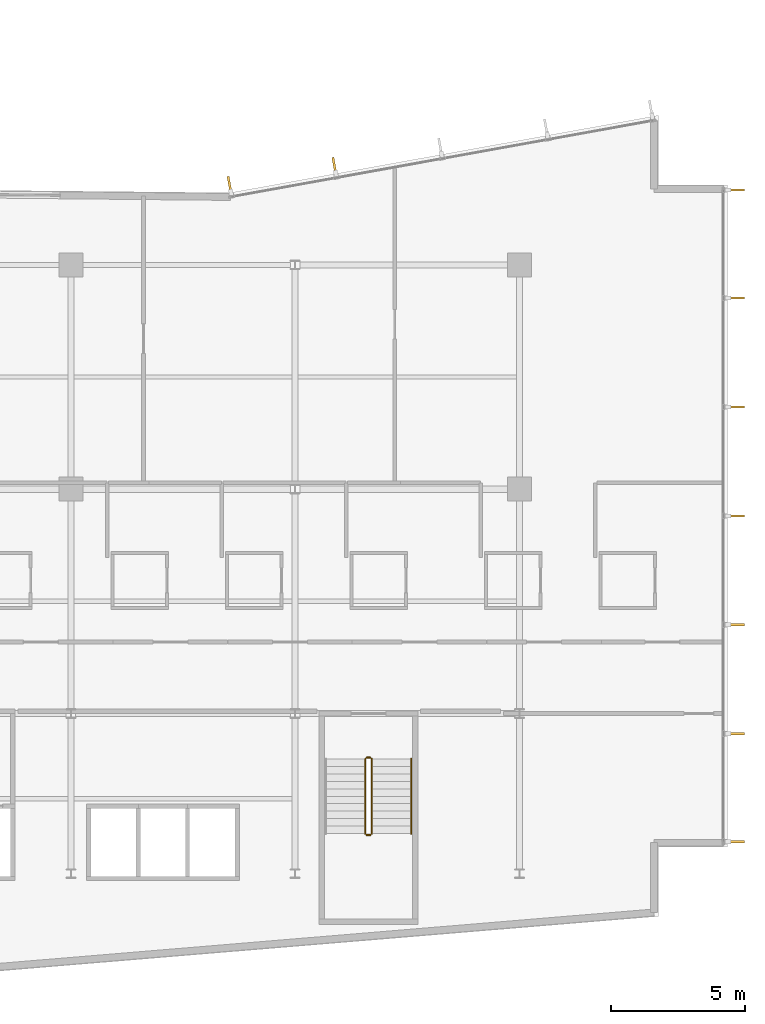
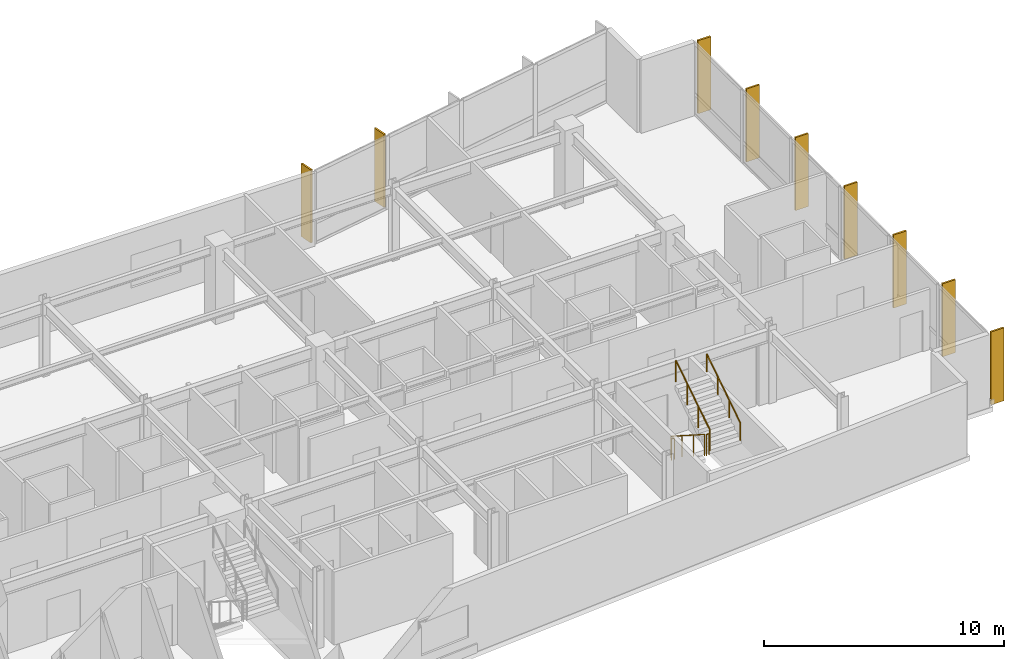
# One storey, part 19 of 21: 9 shading devices, 5 railings.
"""IFC4 building model written with IfcOpenShell, lengths in metres."""

from ifc_helpers import new_model, si_unit, direction, frame, origin, origin_2d, place, context, subcontext, project, spatial, rectangle, circle, extrude, material, layer, layer_set, type_object, element, save


model = new_model("IFC4")

# Units and contexts
model_context = context("Model", 3, precision=1e-05, world=origin(), true_north=direction((0.0, 1.0)))
body_context = subcontext(model_context, "Body", "Model", "MODEL_VIEW")
ifc_project = project(units=[si_unit("LENGTHUNIT", "METRE"), si_unit("AREAUNIT", "SQUARE_METRE"), si_unit("VOLUMEUNIT", "CUBIC_METRE"), si_unit("PLANEANGLEUNIT", "RADIAN"), si_unit("MASSUNIT", "GRAM", prefix="KILO")], contexts=[model_context])

# Site, building, storey
site_placement = place(None, origin())
site = spatial("IfcSite", under=ifc_project, at=site_placement, CompositionType="ELEMENT")
building_placement = place(site_placement, origin())
building = spatial("IfcBuilding", under=site, at=building_placement, Name="Varnakote Quay Hospital", CompositionType="ELEMENT")
storey_placement = place(building_placement, frame((0.0, 0.0, 42.25)))
storey = spatial("IfcBuildingStorey", under=building, at=storey_placement, Name="L10", CompositionType="ELEMENT", Elevation=42.25)

# Railings
ifc_material_1 = material(Name="Brushed stainless steel balustrade", Category="steel")
railing_type_1 = type_object("IfcRailingType", Name="RLG-STAIR-GUARD-1150", PredefinedType="GUARDRAIL", material=ifc_material_1)
railing_1_placement = place(storey_placement, frame((44.6298828125, 10.300048828125, 0.179443359375)))
element("IfcRailing", 1, at=railing_1_placement, inside=storey, type_object=railing_type_1, Name="L10 ST-03 stair guard 1", PredefinedType="GUARDRAIL", context=body_context, shape_type="SweptSolid", body=[
    extrude(circle(Radius=0.02392578125, at=origin_2d()), frame((0.0, 0.0, 1.076171875), z_axis=(0.0, -0.841776520102, 0.539826166654), x_axis=(1.0, 0.0, 0.0)), (0.0, 0.0, 1.0), 3.326416015625),
    extrude(circle(Radius=0.02099609375, at=origin_2d()), origin(), (0.0, 0.0, 1.0), 1.052001953125),
    extrude(circle(Radius=0.02099609375, at=origin_2d()), frame((0.0, -0.933349609375, 0.5986328125)), (0.0, 0.0, 1.0), 1.052001953125),
    extrude(circle(Radius=0.02099609375, at=origin_2d()), frame((0.0, -1.86669921875, 1.197021484375)), (0.0, 0.0, 1.0), 1.052001953125),
    extrude(circle(Radius=0.02099609375, at=origin_2d()), frame((0.0, -2.800048828125, 1.795654296875)), (0.0, 0.0, 1.0), 1.052001953125),
])
railing_2_placement = place(storey_placement, frame((44.679931640625, 7.449951171875, 1.97509765625)))
element("IfcRailing", 2, at=railing_2_placement, inside=storey, type_object=railing_type_1, Name="L10 ST-03 stair guard 2", PredefinedType="GUARDRAIL", context=body_context, shape_type="SweptSolid", body=[
    extrude(circle(Radius=0.02392578125, at=origin_2d()), frame((0.0, 0.0, 1.076171875), z_axis=(1.0, 0.0, 0.0), x_axis=(0.0, 1.0, 0.0)), (0.0, 0.0, 1.0), 0.14013671875),
    extrude(circle(Radius=0.02099609375, at=origin_2d()), origin(), (0.0, 0.0, 1.0), 1.052001953125),
    extrude(circle(Radius=0.02099609375, at=origin_2d()), frame((0.14013671875, 0.0, 0.0)), (0.0, 0.0, 1.0), 1.052001953125),
])
railing_3_placement = place(storey_placement, frame((44.8701171875, 7.5, 2.154541015625)))
element("IfcRailing", 3, at=railing_3_placement, inside=storey, type_object=railing_type_1, Name="L10 ST-03 stair guard 3", PredefinedType="GUARDRAIL", context=body_context, shape_type="SweptSolid", body=[
    extrude(circle(Radius=0.02392578125, at=origin_2d()), frame((0.0, 0.0, 1.076171875), z_axis=(0.0, 0.841809871826, 0.539774156196), x_axis=(-1.0, 0.0, 0.0)), (0.0, 0.0, 1.0), 3.326171875),
    extrude(circle(Radius=0.02099609375, at=origin_2d()), origin(), (0.0, 0.0, 1.0), 1.052001953125),
    extrude(circle(Radius=0.02099609375, at=origin_2d()), frame((0.0, 0.933349609375, 0.598388671875)), (0.0, 0.0, 1.0), 1.052001953125),
    extrude(circle(Radius=0.02099609375, at=origin_2d()), frame((0.0, 1.86669921875, 1.197021484375)), (0.0, 0.0, 1.0), 1.052001953125),
    extrude(circle(Radius=0.02099609375, at=origin_2d()), frame((0.0, 2.800048828125, 1.79541015625)), (0.0, 0.0, 1.0), 1.052001953125),
])
railing_4_placement = place(storey_placement, frame((44.679931640625, 10.35009765625, 0.0)))
element("IfcRailing", 4, at=railing_4_placement, inside=storey, type_object=railing_type_1, Name="L10 ST-03 stair guard 4", PredefinedType="GUARDRAIL", context=body_context, shape_type="SweptSolid", body=[
    extrude(circle(Radius=0.02392578125, at=origin_2d()), frame((0.0, 0.0, 1.076171875), z_axis=(1.0, 0.0, 0.0), x_axis=(0.0, 1.0, 0.0)), (0.0, 0.0, 1.0), 0.14013671875),
    extrude(circle(Radius=0.02099609375, at=origin_2d()), origin(), (0.0, 0.0, 1.0), 1.052001953125),
    extrude(circle(Radius=0.02099609375, at=origin_2d()), frame((0.14013671875, 0.0, 0.0)), (0.0, 0.0, 1.0), 1.052001953125),
])
ifc_material_2 = material(Name="Brushed stainless steel handrail", Category="steel")
railing_type_2 = type_object("IfcRailingType", Name="RLG-STAIR-HND-920", PredefinedType="HANDRAIL", material=ifc_material_2)
railing_5_placement = place(storey_placement, frame((46.35009765625, 7.5, 2.154541015625)))
element("IfcRailing", 5, at=railing_5_placement, inside=storey, type_object=railing_type_2, Name="L10 ST-03 stair handrail 2", PredefinedType="HANDRAIL", context=body_context, shape_type="SweptSolid", body=[
    extrude(circle(Radius=0.02392578125, at=origin_2d()), frame((0.0, 0.0, 0.8759765625), z_axis=(0.0, 0.841809871826, 0.539774156196), x_axis=(-1.0, 0.0, 0.0)), (0.0, 0.0, 1.0), 3.326171875),
    extrude(circle(Radius=0.02099609375, at=origin_2d()), origin(), (0.0, 0.0, 1.0), 0.851806640625),
    extrude(circle(Radius=0.02099609375, at=origin_2d()), frame((0.0, 0.933349609375, 0.598388671875)), (0.0, 0.0, 1.0), 0.851806640625),
    extrude(circle(Radius=0.02099609375, at=origin_2d()), frame((0.0, 1.86669921875, 1.197021484375)), (0.0, 0.0, 1.0), 0.851806640625),
    extrude(circle(Radius=0.02099609375, at=origin_2d()), frame((0.0, 2.800048828125, 1.79541015625)), (0.0, 0.0, 1.0), 0.851806640625),
])

# Shading devices
ifc_material_3 = material(Name="Anodised aluminium 6063-T6 Bronze", Category="aluminium")
ifc_layer = layer(ifc_material_3, 0.0849609375)
ifc_layer_set = layer_set([ifc_layer], Name="Anodised aluminium 6063-T6 Bronze")
shading_device_type = type_object("IfcShadingDeviceType", Name="SHD-BRONZE-FIN-620", PredefinedType="USERDEFINED", material=ifc_layer_set)
for number, where, z_axis, x_axis, name in (
    (6, (58.510009765625, 7.197509765625, 0.0), (0.0, 0.0, 1.0), (-1.0, 0.0, 0.0), "L10 Anodised Bronze Vertical Shading FIN"),
    (7, (58.510009765625, 11.239990234375, 0.0), (0.0, 0.0, 1.0), (-1.0, 0.0, 0.0), "L10 Anodised Bronze Vertical Shading FIN"),
    (8, (58.510009765625, 15.320068359375, 0.0), (0.0, 0.0, 1.0), (-1.0, 0.0, 0.0), "L10 Anodised Bronze Vertical Shading FIN"),
    (9, (58.510009765625, 19.39990234375, 0.0), (0.0, 0.0, 1.0), (-1.0, 0.0, 0.0), "L10 Anodised Bronze Vertical Shading FIN"),
    (10, (58.510009765625, 23.47998046875, 0.0), (0.0, 0.0, 1.0), (-1.0, 0.0, 0.0), "L10 Anodised Bronze Vertical Shading FIN"),
    (11, (58.510009765625, 27.56005859375, 0.0), (0.0, 0.0, 1.0), (-1.0, 0.0, 0.0), "L10 Anodised Bronze Vertical Shading FIN"),
    (12, (58.510009765625, 31.6025390625, 0.0), (0.0, 0.0, 1.0), (-1.0, 0.0, 0.0), "L10 Anodised Bronze Vertical Shading FIN"),
    (13, (43.468505859375, 32.522705078125, 0.0), (0.0, 0.0, 1.0), (0.177771795263, -0.984071739666, 0.0), "L10 Anodised Bronze Vertical Shading FIN"),
    (14, (39.54296875, 31.81298828125, 0.0), (0.0, 0.0, 1.0), (0.177771795263, -0.984071739666, 0.0), "L10 Anodised Bronze Vertical Shading FIN"),
):
    element("IfcShadingDevice", number, at=place(storey_placement, frame(where, z_axis=z_axis, x_axis=x_axis)), inside=storey, type_object=shading_device_type, Name=name, ObjectType="FIN", PredefinedType="USERDEFINED", context=body_context, shape_type="SweptSolid", body=[
        extrude(rectangle(XDim=0.6201171875, YDim=0.0849609375, at=origin_2d()), origin(), (0.0, 0.0, 1.0), 3.7099609375),
    ])

save(model, "model.ifc")
